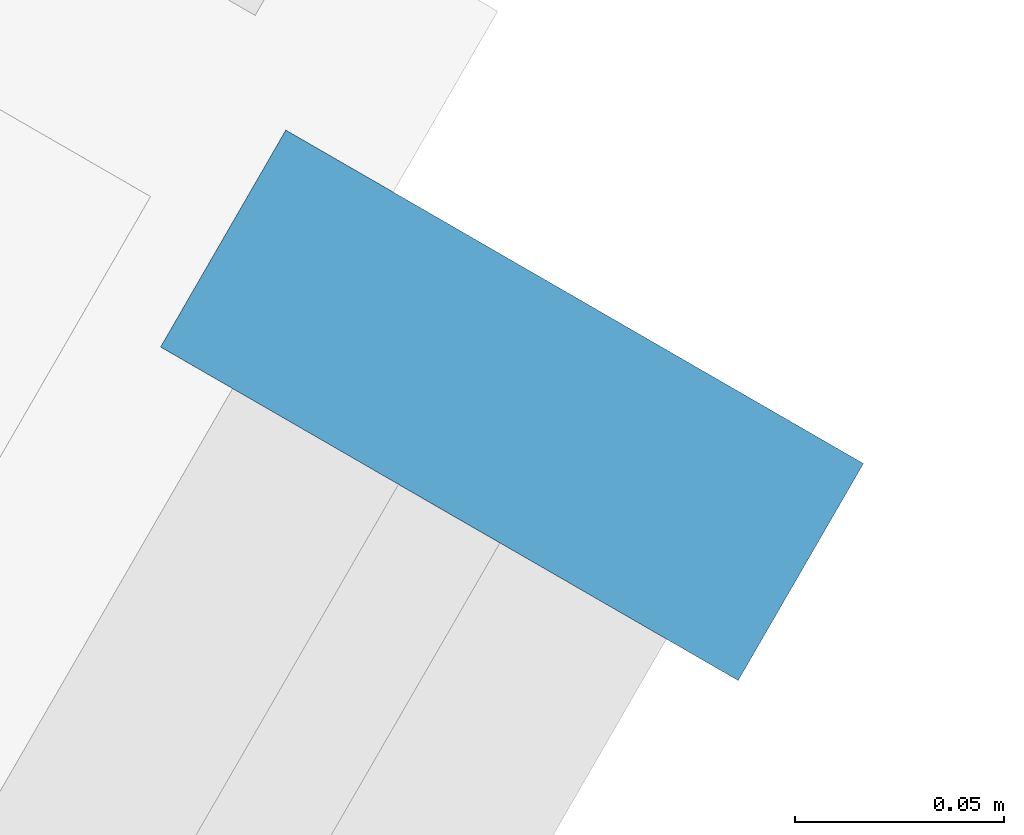
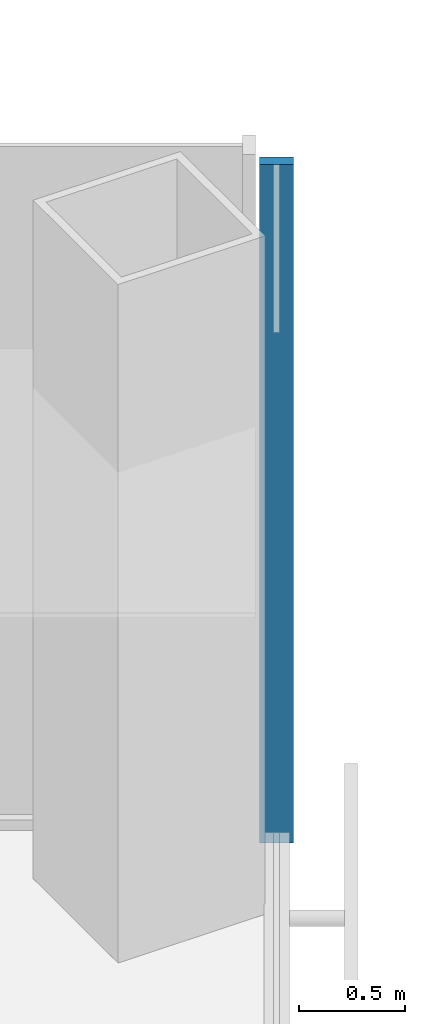
# One storey, part 9 of 19: 1 member, 1 element without a shape of its own.
"""IFC4 building model written with IfcOpenShell, lengths in metres."""

from ifc_helpers import new_model, si_unit, direction, frame, origin, origin_2d, place, context, subcontext, project, spatial, rectangle, extrude, material, material_profile, profile_set, type_object, element, aggregate, save


model = new_model("IFC4")

# Units and contexts
model_context = context("Model", 3, precision=1e-05, world=origin(), true_north=direction((0.0, 1.0)))
body_context = subcontext(model_context, "Body", "Model", "MODEL_VIEW")
ifc_project = project(units=[si_unit("LENGTHUNIT", "METRE"), si_unit("AREAUNIT", "SQUARE_METRE"), si_unit("VOLUMEUNIT", "CUBIC_METRE"), si_unit("PLANEANGLEUNIT", "RADIAN"), si_unit("MASSUNIT", "GRAM", prefix="KILO")], contexts=[model_context])

# Site, building, storey
site_placement = place(None, origin())
site = spatial("IfcSite", under=ifc_project, at=site_placement, CompositionType="ELEMENT")
building_placement = place(site_placement, origin())
building = spatial("IfcBuilding", under=site, at=building_placement, Name="Kasaneha Research Tower", CompositionType="ELEMENT")
storey_placement = place(building_placement, frame((0.0, 0.0, 96.300048828125)))
storey = spatial("IfcBuildingStorey", under=building, at=storey_placement, Name="L24", CompositionType="ELEMENT", Elevation=96.300048828125)

# Curtain wall, member
ifc_material_1 = material(Name="Glass and aluminium", Category="aluminium")
curtain_wall_type = type_object("IfcCurtainWallType", Name="Low-rise office curtain wall", PredefinedType="USERDEFINED", material=ifc_material_1)
curtain_wall_placement = place(storey_placement, origin())
curtain_wall = element("IfcCurtainWall", 1, at=curtain_wall_placement, inside=storey, type_object=curtain_wall_type, Name="CW-O1 L24 run 05a", ObjectType="UNITISED CURTAIN WALL", PredefinedType="USERDEFINED")
ifc_material_2 = material(Name="Aluminium 6063-T6", Category="aluminium")
ifc_material_profile = material_profile(ifc_material_2, rectangle(XDim=0.06005859375, YDim=0.159912109375, at=origin_2d()), Name="CW-O1 mullion 60x160")
ifc_profile_set = profile_set([ifc_material_profile], Name="Aluminium 6063-T6")
member_type = type_object("IfcMemberType", Name="CW-O1 mullion", PredefinedType="MULLION", material=ifc_profile_set)
member_placement = place(storey_placement, frame((32.012939453125, -6.39306640625, 0.0), z_axis=(0.0, 0.0, 1.0), x_axis=(0.500000011442, 0.866025397178, 0.0)))
member = element("IfcMember", 2, at=member_placement, type_object=member_type, Name="CW-O1 mullion 4", PredefinedType="MULLION", context=body_context, shape_type="SweptSolid", body=[
    extrude(rectangle(XDim=0.06005859375, YDim=0.159912109375, at=origin_2d()), origin(), (0.0, 0.0, 1.0), 3.89990234375),
])
aggregate(curtain_wall, [member])

save(model, "model.ifc")
